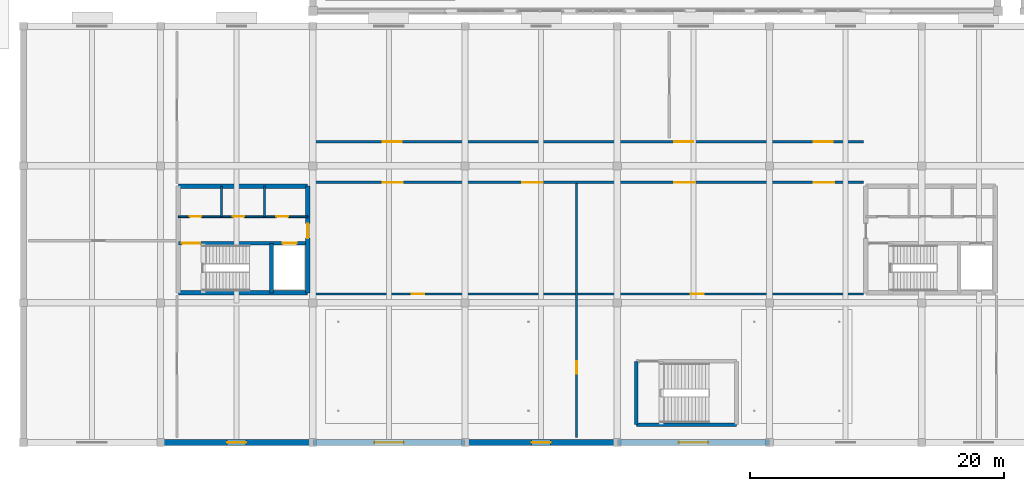
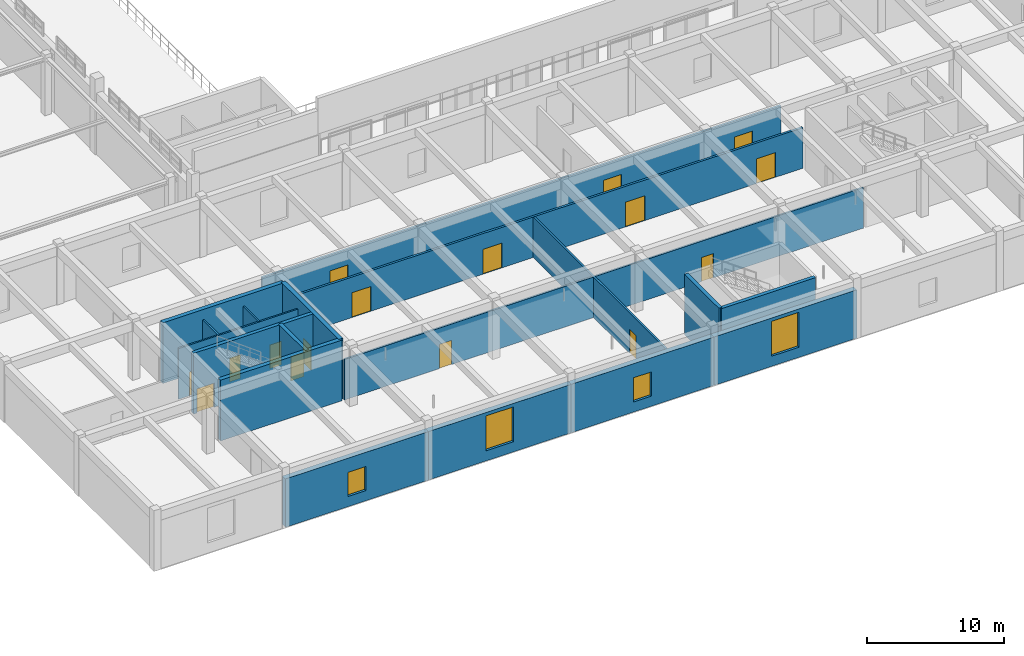
# One storey, part 175 of 197: 18 walls, 16 doors, 4 windows, 20 openings.
"""IFC4 building model written with IfcOpenShell, lengths in metres."""

from ifc_helpers import new_model, si_unit, derived_unit, direction, frame, frame_2d, origin, place, context, subcontext, project, spatial, rectangle, extrude, material, layer, layer_set, type_object, element, fill, save


model = new_model("IFC4")

# Units and contexts
model_context = context("Model", 3, precision=1e-05, world=origin(), true_north=direction((0.0, 1.0)))
body_context = subcontext(model_context, "Body", "Model", "MODEL_VIEW")
ifc_project = project(units=[si_unit("LENGTHUNIT", "METRE"), si_unit("AREAUNIT", "SQUARE_METRE"), si_unit("VOLUMEUNIT", "CUBIC_METRE"), si_unit("PLANEANGLEUNIT", "RADIAN"), si_unit("MASSUNIT", "GRAM", prefix="KILO"), derived_unit("THERMALTRANSMITTANCEUNIT", [(si_unit("POWERUNIT", "WATT"), 1), (si_unit("LENGTHUNIT", "METRE"), -2), (si_unit("THERMODYNAMICTEMPERATUREUNIT", "KELVIN"), -1)])], contexts=[model_context])

# Site, building, storey
site_placement = place(None, origin())
site = spatial("IfcSite", under=ifc_project, at=site_placement, CompositionType="ELEMENT")
building_placement = place(site_placement, origin())
building = spatial("IfcBuilding", under=site, at=building_placement, Name="Almenara Railside Exhibition Hall", CompositionType="ELEMENT")
storey_placement = place(building_placement, frame((0.0, 0.0, 5.39990234375)))
storey = spatial("IfcBuildingStorey", under=building, at=storey_placement, Name="L01", CompositionType="ELEMENT", Elevation=5.39990234375)

# Wall, opening, door
ifc_material_1 = material(Name="Double-stud acoustic gypsum partition")
ifc_layer_1 = layer(ifc_material_1, 0.159912109375, Name="Double-stud acoustic gypsum partition")
ifc_layer_set_1 = layer_set([ifc_layer_1], Name="Double-stud acoustic gypsum partition")
wall_type_1 = type_object("IfcWallType", Name="Acoustic Congress Partition 160mm", PredefinedType="PARTITIONING", material=ifc_layer_set_1)
wall_1_placement = place(storey_placement, frame((158.800048828125, 0.39990234375, 0.0), z_axis=(0.0, 0.0, 1.0), x_axis=(0.0, 1.0, 0.0)))
wall_1 = element("IfcWall", 1, at=wall_1_placement, inside=storey, type_object=wall_type_1, Name="Interior wall 0377", PredefinedType="PARTITIONING", context=body_context, shape_type="SweptSolid", body=[
    extrude(rectangle(XDim=20.0, YDim=0.159912109375, at=frame_2d((10.0, 0.0))), origin(), (0.0, 0.0, 1.0), 3.60009765625),
])
opening_1_placement = place(wall_1_placement, frame((5.0, 0.0, 0.0)))
opening_1 = element("IfcOpeningElement", 2, at=opening_1_placement, cuts=wall_1, Name="Opening ID-10", PredefinedType="OPENING", context=body_context, shape_type="SweptSolid", body=[
    extrude(rectangle(XDim=1.0, YDim=2.14990234375, at=frame_2d((0.5, 1.074951171875))), frame((0.0, 0.08984375, 0.0), z_axis=(0.0, -1.0, 0.0), x_axis=(1.0, 0.0, 0.0)), (0.0, 0.0, 1.0), 0.179931640625),
])
ifc_material_2 = material(Name="Iroko hardwood single door", Category="wood")
door_type_1 = type_object("IfcDoorType", Name="Standard Room Single Door 1000x2150", OperationType="NOTDEFINED", PredefinedType="DOOR", material=ifc_material_2)
door_1_placement = place(opening_1_placement, origin())
door_1 = element("IfcDoor", 3, at=door_1_placement, inside=storey, type_object=door_type_1, Name="Interior door ID-10-245", OperationType="SINGLE_SWING_LEFT", OverallHeight=2.14990234375, OverallWidth=1.0, PredefinedType="DOOR", context=body_context, shape_type="SweptSolid", body=[
    extrude(rectangle(XDim=1.0, YDim=2.14990234375, at=frame_2d((0.5, 1.074951171875))), frame((0.0, 0.02490234375, 0.0), z_axis=(0.0, -1.0, 0.0), x_axis=(1.0, 0.0, 0.0)), (0.0, 0.0, 1.0), 0.050048828125),
])
fill(opening_1, door_1)

# Wall, openings, doors
wall_2_placement = place(storey_placement, frame((137.800048828125, 11.699951171875, 0.0), z_axis=(0.0, 0.0, 1.0), x_axis=(1.0, 0.0, 0.0)))
wall_2 = element("IfcWall", 4, at=wall_2_placement, inside=storey, type_object=wall_type_1, Name="Interior wall 0378", PredefinedType="PARTITIONING", context=body_context, shape_type="SweptSolid", body=[
    extrude(rectangle(XDim=43.599853515625, YDim=0.159912109375, at=frame_2d((21.7998046875, 0.0))), origin(), (0.0, 0.0, 1.0), 3.60009765625),
])
opening_2_placement = place(wall_2_placement, frame((8.0, 0.0, 0.0)))
opening_2 = element("IfcOpeningElement", 5, at=opening_2_placement, cuts=wall_2, Name="Opening ID-10", PredefinedType="OPENING", context=body_context, shape_type="SweptSolid", body=[
    extrude(rectangle(XDim=1.0, YDim=2.14990234375, at=frame_2d((0.5, 1.074951171875))), frame((0.0, 0.08984375, 0.0), z_axis=(0.0, -1.0, 0.0), x_axis=(1.0, 0.0, 0.0)), (0.0, 0.0, 1.0), 0.179931640625),
])
opening_3_placement = place(wall_2_placement, frame((30.0, 0.0, 0.0)))
opening_3 = element("IfcOpeningElement", 6, at=opening_3_placement, cuts=wall_2, Name="Opening ID-10", PredefinedType="OPENING", context=body_context, shape_type="SweptSolid", body=[
    extrude(rectangle(XDim=1.0, YDim=2.14990234375, at=frame_2d((0.5, 1.074951171875))), frame((0.0, 0.08984375, 0.0), z_axis=(0.0, -1.0, 0.0), x_axis=(1.0, 0.0, 0.0)), (0.0, 0.0, 1.0), 0.179931640625),
])
door_2_placement = place(opening_2_placement, origin())
door_2 = element("IfcDoor", 7, at=door_2_placement, inside=storey, type_object=door_type_1, Name="Interior door ID-10-246", OperationType="SINGLE_SWING_RIGHT", OverallHeight=2.14990234375, OverallWidth=1.0, PredefinedType="DOOR", context=body_context, shape_type="SweptSolid", body=[
    extrude(rectangle(XDim=1.0, YDim=2.14990234375, at=frame_2d((0.5, 1.074951171875))), frame((0.0, 0.02490234375, 0.0), z_axis=(0.0, -1.0, 0.0), x_axis=(1.0, 0.0, 0.0)), (0.0, 0.0, 1.0), 0.050048828125),
])
fill(opening_2, door_2)
door_3_placement = place(opening_3_placement, origin())
door_3 = element("IfcDoor", 8, at=door_3_placement, inside=storey, type_object=door_type_1, Name="Interior door ID-10-247", OperationType="SINGLE_SWING_LEFT", OverallHeight=2.14990234375, OverallWidth=1.0, PredefinedType="DOOR", context=body_context, shape_type="SweptSolid", body=[
    extrude(rectangle(XDim=1.0, YDim=2.14990234375, at=frame_2d((0.5, 1.074951171875))), frame((0.0, 0.02490234375, 0.0), z_axis=(0.0, -1.0, 0.0), x_axis=(1.0, 0.0, 0.0)), (0.0, 0.0, 1.0), 0.050048828125),
])
fill(opening_3, door_3)

# Walls
ifc_material_3 = material(Name="Concrete C35/45", Category="concrete")
ifc_layer_2 = layer(ifc_material_3, 0.35009765625, Name="Concrete C35/45")
ifc_layer_set_2 = layer_set([ifc_layer_2], Name="Concrete C35/45")
wall_type_2 = type_object("IfcWallType", Name="Core Coupled Shear Wall 350mm C35/45", PredefinedType="SHEAR", material=ifc_layer_set_2)
for number, where, z_axis, x_axis, name in (
    (9, (127.39990234375, 11.800048828125, 0.0), (0.0, 0.0, 1.0), (1.0, 0.0, 0.0), "Interior wall 0118"),
    (10, (137.60009765625, 20.199951171875, 0.0), (0.0, 0.0, 1.0), (-1.0, 0.0, 0.0), "Interior wall 0119"),
):
    element("IfcWall", number, at=place(storey_placement, frame(where, z_axis=z_axis, x_axis=x_axis)), inside=storey, type_object=wall_type_2, Name=name, PredefinedType="SHEAR", context=body_context, shape_type="SweptSolid", body=[
        extrude(rectangle(XDim=10.2001953125, YDim=0.35009765625, at=frame_2d((5.10009765625, 0.0))), origin(), (0.0, 0.0, 1.0), 5.400146484375),
    ])

# Wall, opening, door
wall_3_placement = place(storey_placement, frame((137.60009765625, 11.800048828125, 0.0), z_axis=(0.0, 0.0, 1.0), x_axis=(0.0, 1.0, 0.0)))
wall_3 = element("IfcWall", 11, at=wall_3_placement, inside=storey, type_object=wall_type_2, Name="Interior wall 0121", PredefinedType="SHEAR", context=body_context, shape_type="SweptSolid", body=[
    extrude(rectangle(XDim=8.39990234375, YDim=0.35009765625, at=frame_2d((4.199951171875, 0.0))), origin(), (0.0, 0.0, 1.0), 5.400146484375),
])
opening_4_placement = place(wall_3_placement, frame((4.300048828125, 0.0, 0.0)))
opening_4 = element("IfcOpeningElement", 12, at=opening_4_placement, cuts=wall_3, Name="Opening FD-115", PredefinedType="OPENING", context=body_context, shape_type="SweptSolid", body=[
    extrude(rectangle(XDim=1.14990234375, YDim=2.14990234375, at=frame_2d((0.574951171875, 1.074951171875))), frame((0.0, 0.18505859375, 0.0), z_axis=(0.0, -1.0, 0.0), x_axis=(1.0, 0.0, 0.0)), (0.0, 0.0, 1.0), 0.3701171875),
])
ifc_material_4 = material(Name="Fire-rated iroko timber door", Category="wood")
door_type_2 = type_object("IfcDoorType", Name="Core Lobby Fire Door 1150x2150 EI60", OperationType="NOTDEFINED", PredefinedType="DOOR", material=ifc_material_4)
door_4_placement = place(opening_4_placement, origin())
door_4 = element("IfcDoor", 13, at=door_4_placement, inside=storey, type_object=door_type_2, Name="Interior door FD-115-079", OperationType="SINGLE_SWING_LEFT", OverallHeight=2.14990234375, OverallWidth=1.14990234375, PredefinedType="DOOR", context=body_context, shape_type="SweptSolid", body=[
    extrude(rectangle(XDim=1.14990234375, YDim=2.14990234375, at=frame_2d((0.574951171875, 1.074951171875))), frame((0.0, 0.02490234375, 0.0), z_axis=(0.0, -1.0, 0.0), x_axis=(1.0, 0.0, 0.0)), (0.0, 0.0, 1.0), 0.050048828125),
])
fill(opening_4, door_4)

# Wall, openings, doors
ifc_material_5 = material(Name="Fire-rated gypsum and masonry partition", Category="masonry")
ifc_layer_3 = layer(ifc_material_5, 0.18505859375, Name="Fire-rated gypsum and masonry partition")
ifc_layer_set_3 = layer_set([ifc_layer_3], Name="Fire-rated gypsum and masonry partition")
wall_type_3 = type_object("IfcWallType", Name="Corridor Fire Partition 185mm", PredefinedType="PARTITIONING", material=ifc_layer_set_3)
wall_4_placement = place(storey_placement, frame((137.800048828125, 20.5, 0.0), z_axis=(0.0, 0.0, 1.0), x_axis=(1.0, 0.0, 0.0)))
wall_4 = element("IfcWall", 14, at=wall_4_placement, inside=storey, type_object=wall_type_3, Name="Interior wall 0375", PredefinedType="PARTITIONING", context=body_context, shape_type="SweptSolid", body=[
    extrude(rectangle(XDim=43.599853515625, YDim=0.18505859375, at=frame_2d((21.7998046875, 0.0))), origin(), (0.0, 0.0, 1.0), 3.60009765625),
])
opening_5_placement = place(wall_4_placement, frame((5.699951171875, 0.0, 0.0)))
opening_5 = element("IfcOpeningElement", 15, at=opening_5_placement, cuts=wall_4, Name="Opening ID-16", PredefinedType="OPENING", context=body_context, shape_type="SweptSolid", body=[
    extrude(rectangle(XDim=1.60009765625, YDim=2.199951171875, at=frame_2d((0.800048828125, 1.10009765625))), frame((0.0, 0.1025390625, 0.0), z_axis=(0.0, -1.0, 0.0), x_axis=(1.0, 0.0, 0.0)), (0.0, 0.0, 1.0), 0.205078125),
])
opening_6_placement = place(wall_4_placement, frame((28.699951171875, 0.0, 0.0)))
opening_6 = element("IfcOpeningElement", 16, at=opening_6_placement, cuts=wall_4, Name="Opening ID-16", PredefinedType="OPENING", context=body_context, shape_type="SweptSolid", body=[
    extrude(rectangle(XDim=1.60009765625, YDim=2.199951171875, at=frame_2d((0.800048828125, 1.10009765625))), frame((0.0, 0.1025390625, 0.0), z_axis=(0.0, -1.0, 0.0), x_axis=(1.0, 0.0, 0.0)), (0.0, 0.0, 1.0), 0.205078125),
])
opening_7_placement = place(wall_4_placement, frame((39.699951171875, 0.0, 0.0)))
opening_7 = element("IfcOpeningElement", 17, at=opening_7_placement, cuts=wall_4, Name="Opening ID-16", PredefinedType="OPENING", context=body_context, shape_type="SweptSolid", body=[
    extrude(rectangle(XDim=1.60009765625, YDim=2.199951171875, at=frame_2d((0.800048828125, 1.10009765625))), frame((0.0, 0.1025390625, 0.0), z_axis=(0.0, -1.0, 0.0), x_axis=(1.0, 0.0, 0.0)), (0.0, 0.0, 1.0), 0.205078125),
])
opening_8_placement = place(wall_4_placement, frame((16.699951171875, 0.0, 0.0)))
opening_8 = element("IfcOpeningElement", 18, at=opening_8_placement, cuts=wall_4, Name="Opening ID-16", PredefinedType="OPENING", context=body_context, shape_type="SweptSolid", body=[
    extrude(rectangle(XDim=1.60009765625, YDim=2.199951171875, at=frame_2d((0.800048828125, 1.10009765625))), frame((0.0, 0.1025390625, 0.0), z_axis=(0.0, -1.0, 0.0), x_axis=(1.0, 0.0, 0.0)), (0.0, 0.0, 1.0), 0.205078125),
])
ifc_material_6 = material(Name="Iroko hardwood double door", Category="wood")
door_type_3 = type_object("IfcDoorType", Name="Meeting Suite Double Door 1600x2200", OperationType="NOTDEFINED", PredefinedType="DOOR", material=ifc_material_6)
door_5_placement = place(opening_5_placement, origin())
door_5 = element("IfcDoor", 19, at=door_5_placement, inside=storey, type_object=door_type_3, Name="Interior door ID-16-238", OperationType="DOUBLE_DOOR_SINGLE_SWING", OverallHeight=2.199951171875, OverallWidth=1.60009765625, PredefinedType="DOOR", context=body_context, shape_type="SweptSolid", body=[
    extrude(rectangle(XDim=1.60009765625, YDim=2.199951171875, at=frame_2d((0.800048828125, 1.10009765625))), frame((0.0, 0.02490234375, 0.0), z_axis=(0.0, -1.0, 0.0), x_axis=(1.0, 0.0, 0.0)), (0.0, 0.0, 1.0), 0.050048828125),
])
fill(opening_5, door_5)
door_6_placement = place(opening_6_placement, origin())
door_6 = element("IfcDoor", 20, at=door_6_placement, inside=storey, type_object=door_type_3, Name="Interior door ID-16-240", OperationType="DOUBLE_DOOR_SINGLE_SWING", OverallHeight=2.199951171875, OverallWidth=1.60009765625, PredefinedType="DOOR", context=body_context, shape_type="SweptSolid", body=[
    extrude(rectangle(XDim=1.60009765625, YDim=2.199951171875, at=frame_2d((0.800048828125, 1.10009765625))), frame((0.0, 0.02490234375, 0.0), z_axis=(0.0, -1.0, 0.0), x_axis=(1.0, 0.0, 0.0)), (0.0, 0.0, 1.0), 0.050048828125),
])
fill(opening_6, door_6)
door_7_placement = place(opening_7_placement, origin())
door_7 = element("IfcDoor", 21, at=door_7_placement, inside=storey, type_object=door_type_3, Name="Interior door ID-16-242", OperationType="DOUBLE_DOOR_SINGLE_SWING", OverallHeight=2.199951171875, OverallWidth=1.60009765625, PredefinedType="DOOR", context=body_context, shape_type="SweptSolid", body=[
    extrude(rectangle(XDim=1.60009765625, YDim=2.199951171875, at=frame_2d((0.800048828125, 1.10009765625))), frame((0.0, 0.02490234375, 0.0), z_axis=(0.0, -1.0, 0.0), x_axis=(1.0, 0.0, 0.0)), (0.0, 0.0, 1.0), 0.050048828125),
])
fill(opening_7, door_7)
door_8_placement = place(opening_8_placement, origin())
door_8 = element("IfcDoor", 22, at=door_8_placement, inside=storey, type_object=door_type_3, Name="Interior door ID-16-244", OperationType="DOUBLE_DOOR_SINGLE_SWING", OverallHeight=2.199951171875, OverallWidth=1.60009765625, PredefinedType="DOOR", context=body_context, shape_type="SweptSolid", body=[
    extrude(rectangle(XDim=1.60009765625, YDim=2.199951171875, at=frame_2d((0.800048828125, 1.10009765625))), frame((0.0, 0.02490234375, 0.0), z_axis=(0.0, -1.0, 0.0), x_axis=(1.0, 0.0, 0.0)), (0.0, 0.0, 1.0), 0.050048828125),
])
fill(opening_8, door_8)

wall_5_placement = place(storey_placement, frame((137.800048828125, 23.699951171875, 0.0), z_axis=(0.0, 0.0, 1.0), x_axis=(1.0, 0.0, 0.0)))
wall_5 = element("IfcWall", 23, at=wall_5_placement, inside=storey, type_object=wall_type_3, Name="Interior wall 0376", PredefinedType="PARTITIONING", context=body_context, shape_type="SweptSolid", body=[
    extrude(rectangle(XDim=43.599853515625, YDim=0.18505859375, at=frame_2d((21.7998046875, 0.0))), origin(), (0.0, 0.0, 1.0), 3.60009765625),
])
opening_9_placement = place(wall_5_placement, frame((5.699951171875, 0.0, 0.0)))
opening_9 = element("IfcOpeningElement", 24, at=opening_9_placement, cuts=wall_5, Name="Opening ID-15", PredefinedType="OPENING", context=body_context, shape_type="SweptSolid", body=[
    extrude(rectangle(XDim=1.5, YDim=2.199951171875, at=frame_2d((0.75, 1.10009765625))), frame((0.0, 0.1025390625, 0.0), z_axis=(0.0, -1.0, 0.0), x_axis=(1.0, 0.0, 0.0)), (0.0, 0.0, 1.0), 0.205078125),
])
opening_10_placement = place(wall_5_placement, frame((28.699951171875, 0.0, 0.0)))
opening_10 = element("IfcOpeningElement", 25, at=opening_10_placement, cuts=wall_5, Name="Opening ID-15", PredefinedType="OPENING", context=body_context, shape_type="SweptSolid", body=[
    extrude(rectangle(XDim=1.5, YDim=2.199951171875, at=frame_2d((0.75, 1.10009765625))), frame((0.0, 0.1025390625, 0.0), z_axis=(0.0, -1.0, 0.0), x_axis=(1.0, 0.0, 0.0)), (0.0, 0.0, 1.0), 0.205078125),
])
opening_11_placement = place(wall_5_placement, frame((39.699951171875, 0.0, 0.0)))
opening_11 = element("IfcOpeningElement", 26, at=opening_11_placement, cuts=wall_5, Name="Opening ID-15", PredefinedType="OPENING", context=body_context, shape_type="SweptSolid", body=[
    extrude(rectangle(XDim=1.5, YDim=2.199951171875, at=frame_2d((0.75, 1.10009765625))), frame((0.0, 0.1025390625, 0.0), z_axis=(0.0, -1.0, 0.0), x_axis=(1.0, 0.0, 0.0)), (0.0, 0.0, 1.0), 0.205078125),
])
door_type_4 = type_object("IfcDoorType", Name="Gallery Double Door 1500x2200", OperationType="NOTDEFINED", PredefinedType="DOOR", material=ifc_material_6)
door_9_placement = place(opening_9_placement, origin())
door_9 = element("IfcDoor", 27, at=door_9_placement, inside=storey, type_object=door_type_4, Name="Interior door ID-15-239", OperationType="DOUBLE_DOOR_SINGLE_SWING", OverallHeight=2.199951171875, OverallWidth=1.5, PredefinedType="DOOR", context=body_context, shape_type="SweptSolid", body=[
    extrude(rectangle(XDim=1.5, YDim=2.199951171875, at=frame_2d((0.75, 1.10009765625))), frame((0.0, 0.02490234375, 0.0), z_axis=(0.0, -1.0, 0.0), x_axis=(1.0, 0.0, 0.0)), (0.0, 0.0, 1.0), 0.050048828125),
])
fill(opening_9, door_9)
door_10_placement = place(opening_10_placement, origin())
door_10 = element("IfcDoor", 28, at=door_10_placement, inside=storey, type_object=door_type_4, Name="Interior door ID-15-241", OperationType="DOUBLE_DOOR_SINGLE_SWING", OverallHeight=2.199951171875, OverallWidth=1.5, PredefinedType="DOOR", context=body_context, shape_type="SweptSolid", body=[
    extrude(rectangle(XDim=1.5, YDim=2.199951171875, at=frame_2d((0.75, 1.10009765625))), frame((0.0, 0.02490234375, 0.0), z_axis=(0.0, -1.0, 0.0), x_axis=(1.0, 0.0, 0.0)), (0.0, 0.0, 1.0), 0.050048828125),
])
fill(opening_10, door_10)
door_11_placement = place(opening_11_placement, origin())
door_11 = element("IfcDoor", 29, at=door_11_placement, inside=storey, type_object=door_type_4, Name="Interior door ID-15-243", OperationType="DOUBLE_DOOR_SINGLE_SWING", OverallHeight=2.199951171875, OverallWidth=1.5, PredefinedType="DOOR", context=body_context, shape_type="SweptSolid", body=[
    extrude(rectangle(XDim=1.5, YDim=2.199951171875, at=frame_2d((0.75, 1.10009765625))), frame((0.0, 0.02490234375, 0.0), z_axis=(0.0, -1.0, 0.0), x_axis=(1.0, 0.0, 0.0)), (0.0, 0.0, 1.0), 0.050048828125),
])
fill(opening_11, door_11)

# Wall, opening, window
ifc_material_7 = material(Name="Ochre-white lime-rendered masonry over Concrete C35/45", Category="masonry")
ifc_layer_4 = layer(ifc_material_7, 0.449951171875, Name="Ochre-white lime-rendered masonry over Concrete C35/45")
ifc_layer_set_4 = layer_set([ifc_layer_4], Name="Ochre-white lime-rendered masonry over Concrete C35/45")
wall_type_4 = type_object("IfcWallType", Name="Exterior Civic Stucco Wall 450mm C35/45", PredefinedType="SOLIDWALL", material=ifc_layer_set_4)
wall_6_placement = place(storey_placement, frame((126.0, 0.0, 0.0), z_axis=(0.0, 0.0, 1.0), x_axis=(1.0, 0.0, 0.0)))
wall_6 = element("IfcWall", 30, at=wall_6_placement, inside=storey, type_object=wall_type_4, Name="Exterior wall 0210", PredefinedType="SOLIDWALL", context=body_context, shape_type="SweptSolid", body=[
    extrude(rectangle(XDim=12.0, YDim=0.449951171875, at=frame_2d((6.0, 0.0))), origin(), (0.0, 0.0, 1.0), 4.300048828125),
])
opening_12_placement = place(wall_6_placement, frame((5.25, 0.0, 0.89990234375)))
opening_12 = element("IfcOpeningElement", 31, at=opening_12_placement, cuts=wall_6, Name="Opening W-08", PredefinedType="OPENING", context=body_context, shape_type="SweptSolid", body=[
    extrude(rectangle(XDim=1.5, YDim=2.14990234375, at=frame_2d((0.75, 1.074951171875))), frame((0.0, 0.23486328125, 0.0), z_axis=(0.0, -1.0, 0.0), x_axis=(1.0, 0.0, 0.0)), (0.0, 0.0, 1.0), 0.469970703125),
])
ifc_material_8 = material(Name="Bronze-anodised aluminium and low-E double glazing", Category="aluminium")
window_type_1 = type_object("IfcWindowType", Name="Seminar Deep-Reveal Window 1500x2150", PartitioningType="DOUBLE_PANEL_VERTICAL", PredefinedType="WINDOW", material=ifc_material_8)
window_1_placement = place(opening_12_placement, origin())
window_1 = element("IfcWindow", 32, at=window_1_placement, inside=storey, type_object=window_type_1, Name="Window 0065", OverallHeight=2.14990234375, OverallWidth=1.5, PartitioningType="DOUBLE_PANEL_VERTICAL", PredefinedType="WINDOW", context=body_context, shape_type="SweptSolid", body=[
    extrude(rectangle(XDim=1.5, YDim=2.14990234375, at=frame_2d((0.75, 1.074951171875))), frame((0.0, 0.030029296875, 0.0), z_axis=(0.0, -1.0, 0.0), x_axis=(1.0, 0.0, 0.0)), (0.0, 0.0, 1.0), 0.06005859375),
])
fill(opening_12, window_1)

wall_7_placement = place(storey_placement, frame((138.0, 0.0, 0.0), z_axis=(0.0, 0.0, 1.0), x_axis=(1.0, 0.0, 0.0)))
wall_7 = element("IfcWall", 33, at=wall_7_placement, inside=storey, type_object=wall_type_4, Name="Exterior wall 0212", PredefinedType="SOLIDWALL", context=body_context, shape_type="SweptSolid", body=[
    extrude(rectangle(XDim=12.0, YDim=0.449951171875, at=frame_2d((6.0, 0.0))), origin(), (0.0, 0.0, 1.0), 4.300048828125),
])
opening_13_placement = place(wall_7_placement, frame((4.85009765625, 0.0, 0.89990234375)))
opening_13 = element("IfcOpeningElement", 34, at=opening_13_placement, cuts=wall_7, Name="Opening W-02", PredefinedType="OPENING", context=body_context, shape_type="SweptSolid", body=[
    extrude(rectangle(XDim=2.300048828125, YDim=3.10009765625, at=frame_2d((1.14990234375, 1.550048828125))), frame((0.0, 0.23486328125, 0.0), z_axis=(0.0, -1.0, 0.0), x_axis=(1.0, 0.0, 0.0)), (0.0, 0.0, 1.0), 0.469970703125),
])
window_type_2 = type_object("IfcWindowType", Name="Arched Congress Tall Window 2300x3100", PartitioningType="DOUBLE_PANEL_VERTICAL", PredefinedType="WINDOW", material=ifc_material_8)
window_2_placement = place(opening_13_placement, origin())
window_2 = element("IfcWindow", 35, at=window_2_placement, inside=storey, type_object=window_type_2, Name="Window 0067", OverallHeight=3.10009765625, OverallWidth=2.300048828125, PartitioningType="DOUBLE_PANEL_VERTICAL", PredefinedType="WINDOW", context=body_context, shape_type="SweptSolid", body=[
    extrude(rectangle(XDim=2.300048828125, YDim=3.10009765625, at=frame_2d((1.14990234375, 1.550048828125))), frame((0.0, 0.030029296875, 0.0), z_axis=(0.0, -1.0, 0.0), x_axis=(1.0, 0.0, 0.0)), (0.0, 0.0, 1.0), 0.06005859375),
])
fill(opening_13, window_2)

wall_8_placement = place(storey_placement, frame((150.0, 0.0, 0.0), z_axis=(0.0, 0.0, 1.0), x_axis=(1.0, 0.0, 0.0)))
wall_8 = element("IfcWall", 36, at=wall_8_placement, inside=storey, type_object=wall_type_4, Name="Exterior wall 0214", PredefinedType="SOLIDWALL", context=body_context, shape_type="SweptSolid", body=[
    extrude(rectangle(XDim=12.0, YDim=0.449951171875, at=frame_2d((6.0, 0.0))), origin(), (0.0, 0.0, 1.0), 4.300048828125),
])
opening_14_placement = place(wall_8_placement, frame((5.25, 0.0, 0.89990234375)))
opening_14 = element("IfcOpeningElement", 37, at=opening_14_placement, cuts=wall_8, Name="Opening W-08", PredefinedType="OPENING", context=body_context, shape_type="SweptSolid", body=[
    extrude(rectangle(XDim=1.5, YDim=2.14990234375, at=frame_2d((0.75, 1.074951171875))), frame((0.0, 0.23486328125, 0.0), z_axis=(0.0, -1.0, 0.0), x_axis=(1.0, 0.0, 0.0)), (0.0, 0.0, 1.0), 0.469970703125),
])
window_3_placement = place(opening_14_placement, origin())
window_3 = element("IfcWindow", 38, at=window_3_placement, inside=storey, type_object=window_type_1, Name="Window 0069", OverallHeight=2.14990234375, OverallWidth=1.5, PartitioningType="DOUBLE_PANEL_VERTICAL", PredefinedType="WINDOW", context=body_context, shape_type="SweptSolid", body=[
    extrude(rectangle(XDim=1.5, YDim=2.14990234375, at=frame_2d((0.75, 1.074951171875))), frame((0.0, 0.030029296875, 0.0), z_axis=(0.0, -1.0, 0.0), x_axis=(1.0, 0.0, 0.0)), (0.0, 0.0, 1.0), 0.06005859375),
])
fill(opening_14, window_3)

wall_9_placement = place(storey_placement, frame((162.0, 0.0, 0.0), z_axis=(0.0, 0.0, 1.0), x_axis=(1.0, 0.0, 0.0)))
wall_9 = element("IfcWall", 39, at=wall_9_placement, inside=storey, type_object=wall_type_4, Name="Exterior wall 0216", PredefinedType="SOLIDWALL", context=body_context, shape_type="SweptSolid", body=[
    extrude(rectangle(XDim=12.0, YDim=0.449951171875, at=frame_2d((6.0, 0.0))), origin(), (0.0, 0.0, 1.0), 4.300048828125),
])
opening_15_placement = place(wall_9_placement, frame((4.85009765625, 0.0, 0.89990234375)))
opening_15 = element("IfcOpeningElement", 40, at=opening_15_placement, cuts=wall_9, Name="Opening W-02", PredefinedType="OPENING", context=body_context, shape_type="SweptSolid", body=[
    extrude(rectangle(XDim=2.300048828125, YDim=3.10009765625, at=frame_2d((1.14990234375, 1.550048828125))), frame((0.0, 0.23486328125, 0.0), z_axis=(0.0, -1.0, 0.0), x_axis=(1.0, 0.0, 0.0)), (0.0, 0.0, 1.0), 0.469970703125),
])
window_4_placement = place(opening_15_placement, origin())
window_4 = element("IfcWindow", 41, at=window_4_placement, inside=storey, type_object=window_type_2, Name="Window 0071", OverallHeight=3.10009765625, OverallWidth=2.300048828125, PartitioningType="DOUBLE_PANEL_VERTICAL", PredefinedType="WINDOW", context=body_context, shape_type="SweptSolid", body=[
    extrude(rectangle(XDim=2.300048828125, YDim=3.10009765625, at=frame_2d((1.14990234375, 1.550048828125))), frame((0.0, 0.030029296875, 0.0), z_axis=(0.0, -1.0, 0.0), x_axis=(1.0, 0.0, 0.0)), (0.0, 0.0, 1.0), 0.06005859375),
])
fill(opening_15, window_4)

# Wall, openings, doors
ifc_material_9 = material(Name="Moisture-resistant tiled masonry partition", Category="masonry")
ifc_layer_5 = layer(ifc_material_9, 0.139892578125, Name="Moisture-resistant tiled masonry partition")
ifc_layer_set_5 = layer_set([ifc_layer_5], Name="Moisture-resistant tiled masonry partition")
wall_type_5 = type_object("IfcWallType", Name="Sanitary Wet-Wall Partition 140mm", PredefinedType="PARTITIONING", material=ifc_layer_set_5)
wall_10_placement = place(storey_placement, frame((127.39990234375, 17.800048828125, 0.0), z_axis=(0.0, 0.0, 1.0), x_axis=(1.0, 0.0, 0.0)))
wall_10 = element("IfcWall", 42, at=wall_10_placement, inside=storey, type_object=wall_type_5, Name="Interior wall 0124", PredefinedType="PARTITIONING", context=body_context, shape_type="SweptSolid", body=[
    extrude(rectangle(XDim=10.2001953125, YDim=0.139892578125, at=frame_2d((5.10009765625, 0.0))), origin(), (0.0, 0.0, 1.0), 4.5),
])
opening_16_placement = place(wall_10_placement, frame((0.89990234375, 0.0, 0.0)))
opening_16 = element("IfcOpeningElement", 43, at=opening_16_placement, cuts=wall_10, Name="Opening ID-09", PredefinedType="OPENING", context=body_context, shape_type="SweptSolid", body=[
    extrude(rectangle(XDim=0.89990234375, YDim=2.10009765625, at=frame_2d((0.449951171875, 1.050048828125))), frame((0.0, 0.079833984375, 0.0), z_axis=(0.0, -1.0, 0.0), x_axis=(1.0, 0.0, 0.0)), (0.0, 0.0, 1.0), 0.159912109375),
])
opening_17_placement = place(wall_10_placement, frame((4.300048828125, 0.0, 0.0)))
opening_17 = element("IfcOpeningElement", 44, at=opening_17_placement, cuts=wall_10, Name="Opening ID-09", PredefinedType="OPENING", context=body_context, shape_type="SweptSolid", body=[
    extrude(rectangle(XDim=0.89990234375, YDim=2.10009765625, at=frame_2d((0.449951171875, 1.050048828125))), frame((0.0, 0.079833984375, 0.0), z_axis=(0.0, -1.0, 0.0), x_axis=(1.0, 0.0, 0.0)), (0.0, 0.0, 1.0), 0.159912109375),
])
opening_18_placement = place(wall_10_placement, frame((7.699951171875, 0.0, 0.0)))
opening_18 = element("IfcOpeningElement", 45, at=opening_18_placement, cuts=wall_10, Name="Opening ID-095", PredefinedType="OPENING", context=body_context, shape_type="SweptSolid", body=[
    extrude(rectangle(XDim=0.949951171875, YDim=2.10009765625, at=frame_2d((0.47509765625, 1.050048828125))), frame((0.0, 0.079833984375, 0.0), z_axis=(0.0, -1.0, 0.0), x_axis=(1.0, 0.0, 0.0)), (0.0, 0.0, 1.0), 0.159912109375),
])
ifc_material_10 = material(Name="Moisture-resistant hardwood door", Category="wood")
door_type_5 = type_object("IfcDoorType", Name="Accessible Toilet Door 950x2100", OperationType="NOTDEFINED", PredefinedType="DOOR", material=ifc_material_10)
door_12_placement = place(opening_18_placement, origin())
door_12 = element("IfcDoor", 46, at=door_12_placement, inside=storey, type_object=door_type_5, Name="Interior door ID-095-084", OperationType="SINGLE_SWING_RIGHT", OverallHeight=2.10009765625, OverallWidth=0.949951171875, PredefinedType="DOOR", context=body_context, shape_type="SweptSolid", body=[
    extrude(rectangle(XDim=0.949951171875, YDim=2.10009765625, at=frame_2d((0.47509765625, 1.050048828125))), frame((0.0, 0.02490234375, 0.0), z_axis=(0.0, -1.0, 0.0), x_axis=(1.0, 0.0, 0.0)), (0.0, 0.0, 1.0), 0.050048828125),
])
fill(opening_18, door_12)
door_type_6 = type_object("IfcDoorType", Name="Sanitary Lobby Single Door 900x2100", OperationType="NOTDEFINED", PredefinedType="DOOR", material=ifc_material_10)
door_13_placement = place(opening_16_placement, origin())
door_13 = element("IfcDoor", 47, at=door_13_placement, inside=storey, type_object=door_type_6, Name="Interior door ID-09-082", OperationType="SINGLE_SWING_RIGHT", OverallHeight=2.10009765625, OverallWidth=0.89990234375, PredefinedType="DOOR", context=body_context, shape_type="SweptSolid", body=[
    extrude(rectangle(XDim=0.89990234375, YDim=2.10009765625, at=frame_2d((0.449951171875, 1.050048828125))), frame((0.0, 0.02490234375, 0.0), z_axis=(0.0, -1.0, 0.0), x_axis=(1.0, 0.0, 0.0)), (0.0, 0.0, 1.0), 0.050048828125),
])
fill(opening_16, door_13)
door_14_placement = place(opening_17_placement, origin())
door_14 = element("IfcDoor", 48, at=door_14_placement, inside=storey, type_object=door_type_6, Name="Interior door ID-09-083", OperationType="SINGLE_SWING_LEFT", OverallHeight=2.10009765625, OverallWidth=0.89990234375, PredefinedType="DOOR", context=body_context, shape_type="SweptSolid", body=[
    extrude(rectangle(XDim=0.89990234375, YDim=2.10009765625, at=frame_2d((0.449951171875, 1.050048828125))), frame((0.0, 0.02490234375, 0.0), z_axis=(0.0, -1.0, 0.0), x_axis=(1.0, 0.0, 0.0)), (0.0, 0.0, 1.0), 0.050048828125),
])
fill(opening_17, door_14)

# Walls
for number, where, z_axis, x_axis, name in (
    (49, (130.800048828125, 17.800048828125, 0.0), (0.0, 0.0, 1.0), (0.0, 1.0, 0.0), "Interior wall 0125"),
    (50, (134.199951171875, 17.800048828125, 0.0), (0.0, 0.0, 1.0), (0.0, 1.0, 0.0), "Interior wall 0126"),
):
    element("IfcWall", number, at=place(storey_placement, frame(where, z_axis=z_axis, x_axis=x_axis)), inside=storey, type_object=wall_type_5, Name=name, PredefinedType="PARTITIONING", context=body_context, shape_type="SweptSolid", body=[
        extrude(rectangle(XDim=2.39990234375, YDim=0.139892578125, at=frame_2d((1.199951171875, 0.0))), origin(), (0.0, 0.0, 1.0), 4.5),
    ])

# Wall, openings, doors
ifc_layer_6 = layer(ifc_material_3, 0.300048828125, Name="Concrete C35/45")
ifc_layer_set_6 = layer_set([ifc_layer_6], Name="Concrete C35/45")
wall_type_6 = type_object("IfcWallType", Name="Stair and Lift Shaft Wall 300mm C35/45", PredefinedType="SHEAR", material=ifc_layer_set_6)
wall_11_placement = place(storey_placement, frame((127.39990234375, 15.699951171875, 0.0), z_axis=(0.0, 0.0, 1.0), x_axis=(1.0, 0.0, 0.0)))
wall_11 = element("IfcWall", 51, at=wall_11_placement, inside=storey, type_object=wall_type_6, Name="Interior wall 0122", PredefinedType="SHEAR", context=body_context, shape_type="SweptSolid", body=[
    extrude(rectangle(XDim=10.2001953125, YDim=0.300048828125, at=frame_2d((5.10009765625, 0.0))), origin(), (0.0, 0.0, 1.0), 5.400146484375),
])
opening_19_placement = place(wall_11_placement, frame((0.280029296875, 0.0, 0.0)))
opening_19 = element("IfcOpeningElement", 52, at=opening_19_placement, cuts=wall_11, Name="Opening FD-145", PredefinedType="OPENING", context=body_context, shape_type="SweptSolid", body=[
    extrude(rectangle(XDim=1.449951171875, YDim=2.14990234375, at=frame_2d((0.72509765625, 1.074951171875))), frame((0.0, 0.159912109375, 0.0), z_axis=(0.0, -1.0, 0.0), x_axis=(1.0, 0.0, 0.0)), (0.0, 0.0, 1.0), 0.320068359375),
])
opening_20_placement = place(wall_11_placement, frame((8.22509765625, 0.0, 0.0)))
opening_20 = element("IfcOpeningElement", 53, at=opening_20_placement, cuts=wall_11, Name="Opening LD-11-C5", PredefinedType="OPENING", context=body_context, shape_type="SweptSolid", body=[
    extrude(rectangle(XDim=1.10009765625, YDim=2.14990234375, at=frame_2d((0.550048828125, 1.074951171875))), frame((0.0, 0.159912109375, 0.0), z_axis=(0.0, -1.0, 0.0), x_axis=(1.0, 0.0, 0.0)), (0.0, 0.0, 1.0), 0.320068359375),
])
ifc_material_11 = material(Name="Steel-framed fire-rated timber door", Category="steel")
door_type_7 = type_object("IfcDoorType", Name="Fire Escape Stair Door 1450x2150 EI60", OperationType="NOTDEFINED", PredefinedType="DOOR", material=ifc_material_11)
door_15_placement = place(opening_19_placement, origin())
door_15 = element("IfcDoor", 54, at=door_15_placement, inside=storey, type_object=door_type_7, Name="Interior door FD-145-080", OperationType="DOUBLE_DOOR_SINGLE_SWING", OverallHeight=2.14990234375, OverallWidth=1.449951171875, PredefinedType="DOOR", context=body_context, shape_type="SweptSolid", body=[
    extrude(rectangle(XDim=1.449951171875, YDim=2.14990234375, at=frame_2d((0.72509765625, 1.074951171875))), frame((0.0, 0.02490234375, 0.0), z_axis=(0.0, -1.0, 0.0), x_axis=(1.0, 0.0, 0.0)), (0.0, 0.0, 1.0), 0.050048828125),
])
fill(opening_19, door_15)
ifc_material_12 = material(Name="Brushed bronze-stainless steel sliding landing door", Category="steel")
door_type_8 = type_object("IfcDoorType", Name="Passenger Lift Sliding Landing Door 1100x2150", OperationType="DOUBLE_DOOR_SLIDING", PredefinedType="DOOR", material=ifc_material_12)
door_16_placement = place(opening_20_placement, origin())
door_16 = element("IfcDoor", 55, at=door_16_placement, inside=storey, type_object=door_type_8, Name="Interior door LD-11-C5-081", OperationType="DOUBLE_DOOR_SLIDING", OverallHeight=2.14990234375, OverallWidth=1.10009765625, PredefinedType="DOOR", context=body_context, shape_type="SweptSolid", body=[
    extrude(rectangle(XDim=1.10009765625, YDim=2.14990234375, at=frame_2d((0.550048828125, 1.074951171875))), frame((0.0, 0.02490234375, 0.0), z_axis=(0.0, -1.0, 0.0), x_axis=(1.0, 0.0, 0.0)), (0.0, 0.0, 1.0), 0.050048828125),
])
fill(opening_20, door_16)

# Walls
wall_12_placement = place(storey_placement, frame((134.75, 11.800048828125, 0.0), z_axis=(0.0, 0.0, 1.0), x_axis=(0.0, 1.0, 0.0)))
element("IfcWall", 56, at=wall_12_placement, inside=storey, type_object=wall_type_6, Name="Interior wall 0123", PredefinedType="SHEAR", context=body_context, shape_type="SweptSolid", body=[
    extrude(rectangle(XDim=3.89990234375, YDim=0.300048828125, at=frame_2d((1.949951171875, 0.0))), origin(), (0.0, 0.0, 1.0), 5.400146484375),
])
wall_13_placement = place(storey_placement, frame((163.5, 1.39990234375, 0.0), z_axis=(0.0, 0.0, 1.0), x_axis=(1.0, 0.0, 0.0)))
element("IfcWall", 57, at=wall_13_placement, inside=storey, type_object=wall_type_6, Name="Interior wall 0320", PredefinedType="SHEAR", context=body_context, shape_type="SweptSolid", body=[
    extrude(rectangle(XDim=7.89990234375, YDim=0.300048828125, at=frame_2d((3.949951171875, 0.0))), origin(), (0.0, 0.0, 1.0), 5.400146484375),
])
wall_14_placement = place(storey_placement, frame((163.5, 6.39990234375, 0.0), z_axis=(0.0, 0.0, 1.0), x_axis=(0.0, -1.0, 0.0)))
element("IfcWall", 58, at=wall_14_placement, inside=storey, type_object=wall_type_6, Name="Interior wall 0322", PredefinedType="SHEAR", context=body_context, shape_type="SweptSolid", body=[
    extrude(rectangle(XDim=5.0, YDim=0.300048828125, at=frame_2d((2.5, 0.0))), origin(), (0.0, 0.0, 1.0), 5.400146484375),
])

save(model, "model.ifc")
